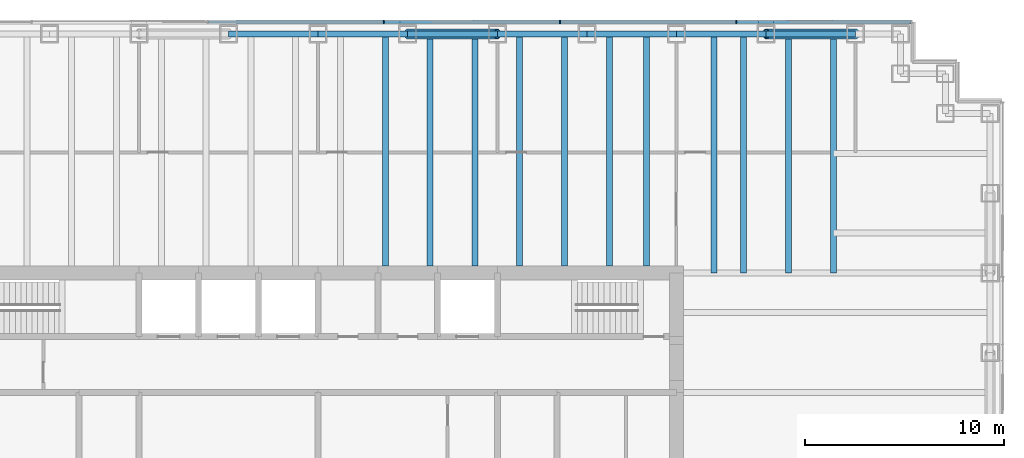
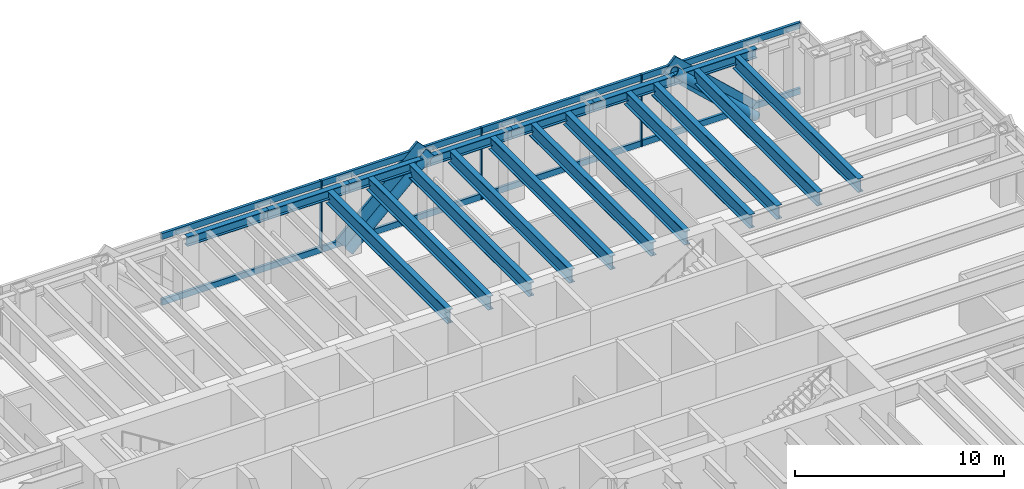
# One storey, part 7 of 15: 18 beams, 15 members, 1 element without a shape of its own.
"""IFC4 building model written with IfcOpenShell, lengths in metres."""

from ifc_helpers import new_model, si_unit, direction, frame, origin, origin_2d, place, context, subcontext, project, spatial, rectangle, hollow_circle, i_section, extrude, material, material_profile, profile_set, type_object, element, aggregate, save


model = new_model("IFC4")

# Units and contexts
model_context = context("Model", 3, precision=1e-05, world=origin(), true_north=direction((0.0, 1.0)))
body_context = subcontext(model_context, "Body", "Model", "MODEL_VIEW")
ifc_project = project(units=[si_unit("LENGTHUNIT", "METRE"), si_unit("AREAUNIT", "SQUARE_METRE"), si_unit("VOLUMEUNIT", "CUBIC_METRE"), si_unit("PLANEANGLEUNIT", "RADIAN"), si_unit("MASSUNIT", "GRAM", prefix="KILO")], contexts=[model_context])

# Site, building, storey
site_placement = place(None, origin())
site = spatial("IfcSite", under=ifc_project, at=site_placement, CompositionType="ELEMENT")
building_placement = place(site_placement, origin())
building = spatial("IfcBuilding", under=site, at=building_placement, Name="Rheinbord Bourse Tower", CompositionType="ELEMENT")
storey_placement = place(building_placement, frame((0.0, 0.0, 279.5)))
storey = spatial("IfcBuildingStorey", under=building, at=storey_placement, Name="L63", CompositionType="ELEMENT", Elevation=279.5)

# Curtain wall, members
ifc_material_1 = material(Name="Dark glass and black aluminium", Category="aluminium")
curtain_wall_type = type_object("IfcCurtainWallType", Name="CW3 DARK GLASS CURTAIN WALL", PredefinedType="USERDEFINED", material=ifc_material_1)
curtain_wall_placement = place(storey_placement, origin())
curtain_wall = element("IfcCurtainWall", 1, at=curtain_wall_placement, inside=storey, type_object=curtain_wall_type, Name="Curtain wall CW3 N L63", ObjectType="UNITISED CURTAIN WALL", PredefinedType="USERDEFINED")
ifc_material_2 = material(Name="Black anodised aluminium", Category="aluminium")
ifc_material_profile_1 = material_profile(ifc_material_2, rectangle(XDim=0.14990234375, YDim=1.10791015625, at=origin_2d()), Name="CW3 DIAGONAL MULLION 1108x150")
ifc_profile_set_1 = profile_set([ifc_material_profile_1], Name="Black anodised aluminium")
member_type_1 = type_object("IfcMemberType", Name="CW3 BLACK DIAGONAL MULLION", PredefinedType="USERDEFINED", material=ifc_profile_set_1)
member_1_placement = place(storey_placement, frame((40.5, 44.60009765625, 0.0), z_axis=(0.73105922506, 0.0, 0.682314010889), x_axis=(0.0, 1.0, 0.0)))
member_1 = element("IfcMember", 2, at=member_1_placement, type_object=member_type_1, Name="CW3 diagonal mullion a", ObjectType="DIAGONAL MULLION", PredefinedType="USERDEFINED", context=body_context, shape_type="SweptSolid", body=[
    extrude(rectangle(XDim=0.14990234375, YDim=1.10791015625, at=origin_2d()), origin(), (0.0, 0.0, 1.0), 6.155517578125),
])
member_2_placement = place(storey_placement, frame((63.0, 44.60009765625, 0.0), z_axis=(-0.73105922506, 0.0, 0.682314010889), x_axis=(0.0, -1.0, 0.0)))
member_2 = element("IfcMember", 3, at=member_2_placement, type_object=member_type_1, Name="CW3 diagonal mullion c", ObjectType="DIAGONAL MULLION", PredefinedType="USERDEFINED", context=body_context, shape_type="SweptSolid", body=[
    extrude(rectangle(XDim=0.14990234375, YDim=1.10791015625, at=origin_2d()), origin(), (0.0, 0.0, 1.0), 6.155517578125),
])
ifc_material_3 = material(Name="Black anodised aluminium", Category="aluminium")
ifc_material_profile_2 = material_profile(ifc_material_3, rectangle(XDim=0.199951171875, YDim=0.06494140625, at=origin_2d()), Name="CW3 MULLION 65x200")
ifc_profile_set_2 = profile_set([ifc_material_profile_2], Name="Black anodised aluminium")
member_type_2 = type_object("IfcMemberType", Name="CW3 BLACK MULLION", PredefinedType="MULLION", material=ifc_profile_set_2)
member_3_placement = place(storey_placement, frame((57.0, 44.60009765625, 0.0), z_axis=(0.0, 0.0, 1.0), x_axis=(0.0, -1.0, 0.0)))
member_3 = element("IfcMember", 4, at=member_3_placement, type_object=member_type_2, Name="CW3 mullion 2", PredefinedType="MULLION", context=body_context, shape_type="SweptSolid", body=[
    extrude(rectangle(XDim=0.199951171875, YDim=0.06494140625, at=origin_2d()), origin(), (0.0, 0.0, 1.0), 4.199951171875),
])
member_4_placement = place(storey_placement, frame((48.14990234375, 44.60009765625, 0.0), z_axis=(0.0, 0.0, 1.0), x_axis=(0.0, -1.0, 0.0)))
member_4 = element("IfcMember", 5, at=member_4_placement, type_object=member_type_2, Name="CW3 mullion 3", PredefinedType="MULLION", context=body_context, shape_type="SweptSolid", body=[
    extrude(rectangle(XDim=0.199951171875, YDim=0.06494140625, at=origin_2d()), origin(), (0.0, 0.0, 1.0), 4.199951171875),
])
member_5_placement = place(storey_placement, frame((39.300048828125, 44.60009765625, 0.0), z_axis=(0.0, 0.0, 1.0), x_axis=(0.0, -1.0, 0.0)))
member_5 = element("IfcMember", 6, at=member_5_placement, type_object=member_type_2, Name="CW3 mullion 4", PredefinedType="MULLION", context=body_context, shape_type="SweptSolid", body=[
    extrude(rectangle(XDim=0.199951171875, YDim=0.06494140625, at=origin_2d()), origin(), (0.0, 0.0, 1.0), 4.199951171875),
])
ifc_material_4 = material(Name="Black anodised aluminium", Category="aluminium")
ifc_material_profile_3 = material_profile(ifc_material_4, rectangle(XDim=0.14990234375, YDim=0.35009765625, at=origin_2d()), Name="CW3 TRANSOM 350x150")
ifc_profile_set_3 = profile_set([ifc_material_profile_3], Name="Black anodised aluminium")
member_type_3 = type_object("IfcMemberType", Name="CW3 BLACK TRANSOM", PredefinedType="USERDEFINED", material=ifc_profile_set_3)
member_6_placement = place(storey_placement, frame((65.784912109375, 44.60009765625, 0.175048828125), z_axis=(-1.0, 0.0, 0.0), x_axis=(0.0, -1.0, 0.0)))
member_6 = element("IfcMember", 7, at=member_6_placement, type_object=member_type_3, Name="CW3 transom 1.1", ObjectType="TRANSOM", PredefinedType="USERDEFINED", context=body_context, shape_type="SweptSolid", body=[
    extrude(rectangle(XDim=0.14990234375, YDim=0.35009765625, at=origin_2d()), origin(), (0.0, 0.0, 1.0), 8.75244140625),
])
member_7_placement = place(storey_placement, frame((65.784912109375, 44.60009765625, 4.02490234375), z_axis=(-1.0, 0.0, 0.0), x_axis=(0.0, -1.0, 0.0)))
member_7 = element("IfcMember", 8, at=member_7_placement, type_object=member_type_3, Name="CW3 transom 1.2", ObjectType="TRANSOM", PredefinedType="USERDEFINED", context=body_context, shape_type="SweptSolid", body=[
    extrude(rectangle(XDim=0.14990234375, YDim=0.35009765625, at=origin_2d()), origin(), (0.0, 0.0, 1.0), 8.75244140625),
])
member_8_placement = place(storey_placement, frame((56.967529296875, 44.60009765625, 0.175048828125), z_axis=(-1.0, 0.0, 0.0), x_axis=(0.0, -1.0, 0.0)))
member_8 = element("IfcMember", 9, at=member_8_placement, type_object=member_type_3, Name="CW3 transom 2.1", ObjectType="TRANSOM", PredefinedType="USERDEFINED", context=body_context, shape_type="SweptSolid", body=[
    extrude(rectangle(XDim=0.14990234375, YDim=0.35009765625, at=origin_2d()), origin(), (0.0, 0.0, 1.0), 8.784912109375),
])
member_9_placement = place(storey_placement, frame((56.967529296875, 44.60009765625, 4.02490234375), z_axis=(-1.0, 0.0, 0.0), x_axis=(0.0, -1.0, 0.0)))
member_9 = element("IfcMember", 10, at=member_9_placement, type_object=member_type_3, Name="CW3 transom 2.2", ObjectType="TRANSOM", PredefinedType="USERDEFINED", context=body_context, shape_type="SweptSolid", body=[
    extrude(rectangle(XDim=0.14990234375, YDim=0.35009765625, at=origin_2d()), origin(), (0.0, 0.0, 1.0), 8.784912109375),
])
member_10_placement = place(storey_placement, frame((48.117431640625, 44.60009765625, 0.175048828125), z_axis=(-1.0, 0.0, 0.0), x_axis=(0.0, -1.0, 0.0)))
member_10 = element("IfcMember", 11, at=member_10_placement, type_object=member_type_3, Name="CW3 transom 3.1", ObjectType="TRANSOM", PredefinedType="USERDEFINED", context=body_context, shape_type="SweptSolid", body=[
    extrude(rectangle(XDim=0.14990234375, YDim=0.35009765625, at=origin_2d()), origin(), (0.0, 0.0, 1.0), 8.784912109375),
])
member_11_placement = place(storey_placement, frame((48.117431640625, 44.60009765625, 4.02490234375), z_axis=(-1.0, 0.0, 0.0), x_axis=(0.0, -1.0, 0.0)))
member_11 = element("IfcMember", 12, at=member_11_placement, type_object=member_type_3, Name="CW3 transom 3.2", ObjectType="TRANSOM", PredefinedType="USERDEFINED", context=body_context, shape_type="SweptSolid", body=[
    extrude(rectangle(XDim=0.14990234375, YDim=0.35009765625, at=origin_2d()), origin(), (0.0, 0.0, 1.0), 8.784912109375),
])
member_12_placement = place(storey_placement, frame((39.267578125, 44.60009765625, 0.175048828125), z_axis=(-1.0, 0.0, 0.0), x_axis=(0.0, -1.0, 0.0)))
member_12 = element("IfcMember", 13, at=member_12_placement, type_object=member_type_3, Name="CW3 transom 4.1", ObjectType="TRANSOM", PredefinedType="USERDEFINED", context=body_context, shape_type="SweptSolid", body=[
    extrude(rectangle(XDim=0.14990234375, YDim=0.35009765625, at=origin_2d()), origin(), (0.0, 0.0, 1.0), 8.78515625),
])
member_13_placement = place(storey_placement, frame((39.267578125, 44.60009765625, 4.02490234375), z_axis=(-1.0, 0.0, 0.0), x_axis=(0.0, -1.0, 0.0)))
member_13 = element("IfcMember", 14, at=member_13_placement, type_object=member_type_3, Name="CW3 transom 4.2", ObjectType="TRANSOM", PredefinedType="USERDEFINED", context=body_context, shape_type="SweptSolid", body=[
    extrude(rectangle(XDim=0.14990234375, YDim=0.35009765625, at=origin_2d()), origin(), (0.0, 0.0, 1.0), 8.78515625),
])
aggregate(curtain_wall, [member_3, member_4, member_5, member_6, member_7, member_8, member_9, member_10, member_11, member_12, member_13, member_1, member_2])

# Beams
ifc_material_5 = material(Name="Steel S460", Category="steel")
ifc_material_profile_4 = material_profile(ifc_material_5, i_section(OverallWidth=0.300048828125, OverallDepth=0.800048828125, WebThickness=0.017578125, FlangeThickness=0.032958984375, at=origin_2d()), Name="HEB 800")
ifc_profile_set_4 = profile_set([ifc_material_profile_4], Name="Steel S460")
beam_type_1 = type_object("IfcBeamType", Name="FLOOR BEAM HEB 800", PredefinedType="BEAM", material=ifc_profile_set_4)
for number, where, z_axis, x_axis, name in (
    (15, (39.375, 44.0, 3.639892578125), (0.0, -1.0, 0.0), (1.0, 0.0, 0.0), "Floor beam N-36b L64"),
    (16, (41.625, 44.0, 3.639892578125), (0.0, -1.0, 0.0), (1.0, 0.0, 0.0), "Floor beam N-40.5a L64"),
    (17, (43.875, 44.0, 3.639892578125), (0.0, -1.0, 0.0), (1.0, 0.0, 0.0), "Floor beam N-40.5b L64"),
    (18, (46.125, 44.0, 3.639892578125), (0.0, -1.0, 0.0), (1.0, 0.0, 0.0), "Floor beam N-45a L64"),
    (19, (48.375, 44.0, 3.639892578125), (0.0, -1.0, 0.0), (1.0, 0.0, 0.0), "Floor beam N-45b L64"),
    (20, (50.625, 44.0, 3.639892578125), (0.0, -1.0, 0.0), (1.0, 0.0, 0.0), "Floor beam N-49.5a L64"),
    (21, (52.5, 44.0, 3.639892578125), (0.0, -1.0, 0.0), (1.0, 0.0, 0.0), "Floor beam N-49.5b L64"),
):
    element("IfcBeam", number, at=place(storey_placement, frame(where, z_axis=z_axis, x_axis=x_axis)), inside=storey, type_object=beam_type_1, Name=name, PredefinedType="BEAM", context=body_context, shape_type="SweptSolid", body=[
        extrude(i_section(OverallWidth=0.300048828125, OverallDepth=0.800048828125, WebThickness=0.017578125, FlangeThickness=0.032958984375, at=origin_2d()), origin(), (0.0, 0.0, 1.0), 11.64990234375),
    ])
for number, where, z_axis, x_axis, name in (
    (22, (55.875, 44.0, 3.639892578125), (0.0, -1.0, 0.0), (1.0, 0.0, 0.0), "Floor beam N-54a L64"),
    (23, (57.375, 44.0, 3.639892578125), (0.0, -1.0, 0.0), (1.0, 0.0, 0.0), "Floor beam N-54b L64"),
    (24, (59.625, 44.0, 3.639892578125), (0.0, -1.0, 0.0), (1.0, 0.0, 0.0), "Floor beam N-58.5a L64"),
    (25, (61.875, 44.0, 3.639892578125), (0.0, -1.0, 0.0), (1.0, 0.0, 0.0), "Floor beam N-58.5b L64"),
):
    element("IfcBeam", number, at=place(storey_placement, frame(where, z_axis=z_axis, x_axis=x_axis)), inside=storey, type_object=beam_type_1, Name=name, PredefinedType="BEAM", context=body_context, shape_type="SweptSolid", body=[
        extrude(i_section(OverallWidth=0.300048828125, OverallDepth=0.800048828125, WebThickness=0.017578125, FlangeThickness=0.032958984375, at=origin_2d()), origin(), (0.0, 0.0, 1.0), 12.0),
    ])

# Members
ifc_material_6 = material(Name="Steel S460", Category="steel")
ifc_material_profile_5 = material_profile(ifc_material_6, hollow_circle(Radius=0.25390625, WallThickness=0.030029296875, at=origin_2d()), Name="CHS 508x30")
ifc_profile_set_5 = profile_set([ifc_material_profile_5], Name="Steel S460")
member_type_4 = type_object("IfcMemberType", Name="MEGABRACE CHS 508x30", PredefinedType="BRACE", material=ifc_profile_set_5)
for number, where, z_axis, x_axis, name in (
    (26, (40.5, 44.0, 0.0), (0.73105922506, 0.0, 0.682314010889), (0.0, 1.0, 0.0), "Megabrace N face line a L63"),
    (27, (63.0, 44.0, 0.0), (-0.73105922506, 0.0, 0.682314010889), (0.0, -1.0, 0.0), "Megabrace N face line c L63"),
):
    element("IfcMember", number, at=place(storey_placement, frame(where, z_axis=z_axis, x_axis=x_axis)), inside=storey, type_object=member_type_4, Name=name, PredefinedType="BRACE", context=body_context, shape_type="SweptSolid", body=[
        extrude(hollow_circle(Radius=0.25390625, WallThickness=0.030029296875, at=origin_2d()), origin(), (0.0, 0.0, 1.0), 6.155517578125),
    ])

# Beams
ifc_material_7 = material(Name="Steel S460", Category="steel")
ifc_material_profile_6 = material_profile(ifc_material_7, i_section(OverallWidth=0.300048828125, OverallDepth=0.550048828125, WebThickness=0.014892578125, FlangeThickness=0.029052734375, at=origin_2d()), Name="HEB 550")
ifc_profile_set_6 = profile_set([ifc_material_profile_6], Name="Steel S460")
beam_type_2 = type_object("IfcBeamType", Name="SPANDREL HEB 550", PredefinedType="SPANDREL", material=ifc_profile_set_6)
for number, where, z_axis, x_axis, name in (
    (28, (63.0, 44.0, 3.764892578125), (-1.0, 0.0, 0.0), (0.0, -1.0, 0.0), "Spandrel N-63-N-58.5 under L64"),
    (29, (58.5, 44.0, 3.764892578125), (-1.0, 0.0, 0.0), (0.0, -1.0, 0.0), "Spandrel N-58.5-N-54 under L64"),
    (30, (54.0, 44.0, 3.764892578125), (-1.0, 0.0, 0.0), (0.0, -1.0, 0.0), "Spandrel N-54-N-49.5 under L64"),
    (31, (49.5, 44.0, 3.764892578125), (-1.0, 0.0, 0.0), (0.0, -1.0, 0.0), "Spandrel N-49.5-N-45 under L64"),
    (32, (45.0, 44.0, 3.764892578125), (-1.0, 0.0, 0.0), (0.0, -1.0, 0.0), "Spandrel N-45-N-40.5 under L64"),
    (33, (40.5, 44.0, 3.764892578125), (-1.0, 0.0, 0.0), (0.0, -1.0, 0.0), "Spandrel N-40.5-N-36 under L64"),
    (34, (36.0, 44.0, 3.764892578125), (-1.0, 0.0, 0.0), (0.0, -1.0, 0.0), "Spandrel N-36-N-31.5 under L64"),
):
    element("IfcBeam", number, at=place(storey_placement, frame(where, z_axis=z_axis, x_axis=x_axis)), inside=storey, type_object=beam_type_2, Name=name, PredefinedType="SPANDREL", context=body_context, shape_type="SweptSolid", body=[
        extrude(i_section(OverallWidth=0.300048828125, OverallDepth=0.550048828125, WebThickness=0.014892578125, FlangeThickness=0.029052734375, at=origin_2d()), origin(), (0.0, 0.0, 1.0), 4.5),
    ])

save(model, "model.ifc")
